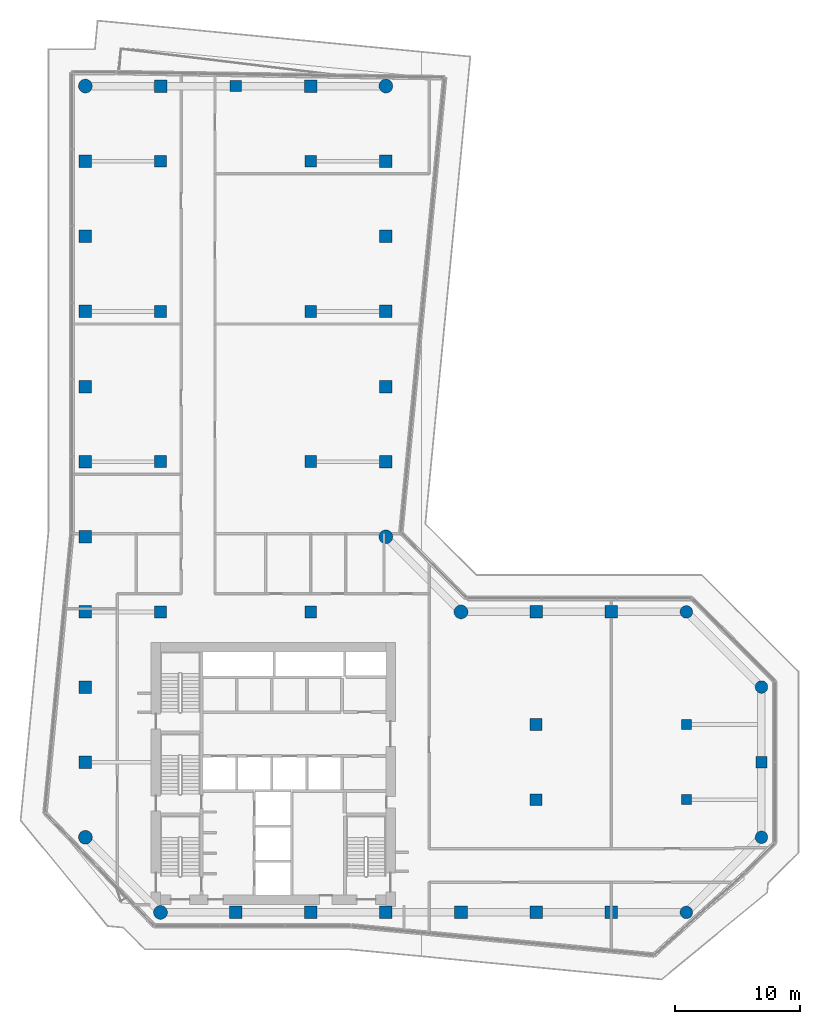
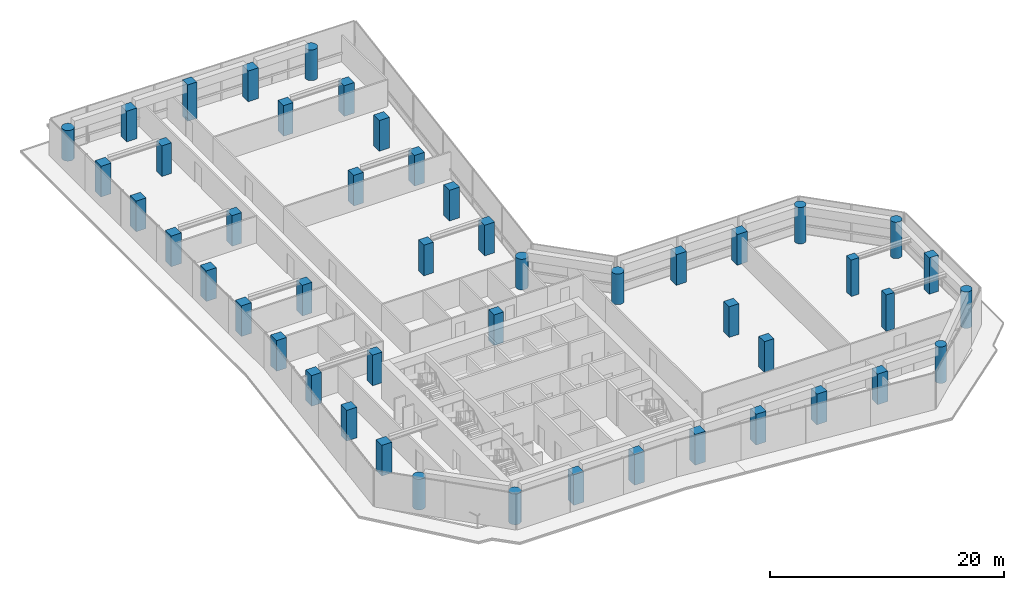
# One storey, part 1 of 12: 48 columns.
"""IFC4 building model written with IfcOpenShell, lengths in metres."""

from ifc_helpers import new_model, si_unit, direction, frame, origin, origin_2d, place, context, subcontext, project, spatial, rectangle, circle, extrude, material, material_profile, profile_set, type_object, element, save


model = new_model("IFC4")

# Units and contexts
model_context = context("Model", 3, precision=1e-05, world=origin(), true_north=direction((0.0, 1.0)))
body_context = subcontext(model_context, "Body", "Model", "MODEL_VIEW")
ifc_project = project(units=[si_unit("LENGTHUNIT", "METRE"), si_unit("AREAUNIT", "SQUARE_METRE"), si_unit("VOLUMEUNIT", "CUBIC_METRE"), si_unit("PLANEANGLEUNIT", "RADIAN"), si_unit("MASSUNIT", "GRAM", prefix="KILO")], contexts=[model_context])

# Site, building, storey
site_placement = place(None, origin())
site = spatial("IfcSite", under=ifc_project, at=site_placement, CompositionType="ELEMENT")
building_placement = place(site_placement, origin())
building = spatial("IfcBuilding", under=site, at=building_placement, Name="Welwitschia Terrace Campus", CompositionType="ELEMENT")
storey_placement = place(building_placement, frame((0.0, 0.0, 134.0)))
storey = spatial("IfcBuildingStorey", under=building, at=storey_placement, Name="L30", CompositionType="ELEMENT", Elevation=134.0)

# Columns
ifc_material_1 = material(Name="Concrete C60/75", Category="concrete")
ifc_material_profile_1 = material_profile(ifc_material_1, circle(Radius=0.5, at=origin_2d()))
ifc_profile_set_1 = profile_set([ifc_material_profile_1], Name="Concrete C60/75")
column_type_1 = type_object("IfcColumnType", Name="Corner column 1000 dia", PredefinedType="COLUMN", material=ifc_profile_set_1)
for number, where, z_axis, x_axis, name in (
    (1, (48.0, 4.0, 0.0), (0.0, 0.0, 1.0), (1.0, 0.0, 0.0), "Column C15"),
    (2, (48.0, 28.0, 0.0), (0.0, 0.0, 1.0), (1.0, 0.0, 0.0), "Column C15"),
    (3, (54.0, 10.0, 0.0), (0.0, 0.0, 1.0), (1.0, 0.0, 0.0), "Column C15"),
    (4, (54.0, 22.0, 0.0), (0.0, 0.0, 1.0), (1.0, 0.0, 0.0), "Column C15"),
):
    element("IfcColumn", number, at=place(storey_placement, frame(where, z_axis=z_axis, x_axis=x_axis)), inside=storey, type_object=column_type_1, Name=name, PredefinedType="COLUMN", context=body_context, shape_type="SweptSolid", body=[
        extrude(circle(Radius=0.5, at=origin_2d()), origin(), (0.0, 0.0, 1.0), 3.800048828125),
    ])
ifc_material_2 = material(Name="Concrete C60/75", Category="concrete")
ifc_material_profile_2 = material_profile(ifc_material_2, circle(Radius=0.550048828125, at=origin_2d()))
ifc_profile_set_2 = profile_set([ifc_material_profile_2], Name="Concrete C60/75")
column_type_2 = type_object("IfcColumnType", Name="Corner column 1100 dia under truss", PredefinedType="COLUMN", material=ifc_profile_set_2)
for number, where, z_axis, x_axis, name in (
    (5, (0.0, 10.0, 0.0), (0.0, 0.0, 1.0), (1.0, 0.0, 0.0), "Column C17"),
    (6, (0.0, 70.0, 0.0), (0.0, 0.0, 1.0), (1.0, 0.0, 0.0), "Column C17"),
    (7, (6.0, 4.0, 0.0), (0.0, 0.0, 1.0), (1.0, 0.0, 0.0), "Column C17"),
    (8, (24.0, 34.0, 0.0), (0.0, 0.0, 1.0), (1.0, 0.0, 0.0), "Column C17"),
    (9, (24.0, 70.0, 0.0), (0.0, 0.0, 1.0), (1.0, 0.0, 0.0), "Column C17"),
    (10, (30.0, 28.0, 0.0), (0.0, 0.0, 1.0), (1.0, 0.0, 0.0), "Column C17"),
):
    element("IfcColumn", number, at=place(storey_placement, frame(where, z_axis=z_axis, x_axis=x_axis)), inside=storey, type_object=column_type_2, Name=name, PredefinedType="COLUMN", context=body_context, shape_type="SweptSolid", body=[
        extrude(circle(Radius=0.550048828125, at=origin_2d()), origin(), (0.0, 0.0, 1.0), 3.199951171875),
    ])
ifc_material_3 = material(Name="Concrete C60/75", Category="concrete")
ifc_material_profile_3 = material_profile(ifc_material_3, rectangle(XDim=0.800048828125, YDim=0.800048828125, at=origin_2d()))
ifc_profile_set_3 = profile_set([ifc_material_profile_3], Name="Concrete C60/75")
column_type_3 = type_object("IfcColumnType", Name="Interior column 800x800", PredefinedType="COLUMN", material=ifc_profile_set_3)
for number, where, z_axis, x_axis, name in (
    (11, (48.0, 13.0, 0.0), (0.0, 0.0, 1.0), (1.0, 0.0, 0.0), "Column C16"),
    (12, (48.0, 19.0, 0.0), (0.0, 0.0, 1.0), (1.0, 0.0, 0.0), "Column C16"),
):
    element("IfcColumn", number, at=place(storey_placement, frame(where, z_axis=z_axis, x_axis=x_axis)), inside=storey, type_object=column_type_3, Name=name, PredefinedType="COLUMN", context=body_context, shape_type="SweptSolid", body=[
        extrude(rectangle(XDim=0.800048828125, YDim=0.800048828125, at=origin_2d()), origin(), (0.0, 0.0, 1.0), 3.800048828125),
    ])
ifc_material_4 = material(Name="Concrete C60/75", Category="concrete")
ifc_material_profile_4 = material_profile(ifc_material_4, rectangle(XDim=0.949951171875, YDim=0.949951171875, at=origin_2d()))
ifc_profile_set_4 = profile_set([ifc_material_profile_4], Name="Concrete C60/75")
column_type_4 = type_object("IfcColumnType", Name="Interior column 950x950 under truss", PredefinedType="COLUMN", material=ifc_profile_set_4)
for number, where, z_axis, x_axis, name in (
    (13, (6.0, 28.0, 0.0), (0.0, 0.0, 1.0), (1.0, 0.0, 0.0), "Column C19"),
    (14, (6.0, 40.0, 0.0), (0.0, 0.0, 1.0), (1.0, 0.0, 0.0), "Column C19"),
    (15, (6.0, 52.0, 0.0), (0.0, 0.0, 1.0), (1.0, 0.0, 0.0), "Column C19"),
    (16, (6.0, 64.0, 0.0), (0.0, 0.0, 1.0), (1.0, 0.0, 0.0), "Column C19"),
    (17, (18.0, 28.0, 0.0), (0.0, 0.0, 1.0), (1.0, 0.0, 0.0), "Column C19"),
    (18, (18.0, 40.0, 0.0), (0.0, 0.0, 1.0), (1.0, 0.0, 0.0), "Column C19"),
    (19, (18.0, 52.0, 0.0), (0.0, 0.0, 1.0), (1.0, 0.0, 0.0), "Column C19"),
    (20, (18.0, 64.0, 0.0), (0.0, 0.0, 1.0), (1.0, 0.0, 0.0), "Column C19"),
    (21, (36.0, 13.0, 0.0), (0.0, 0.0, 1.0), (1.0, 0.0, 0.0), "Column C19"),
    (22, (36.0, 19.0, 0.0), (0.0, 0.0, 1.0), (1.0, 0.0, 0.0), "Column C19"),
):
    element("IfcColumn", number, at=place(storey_placement, frame(where, z_axis=z_axis, x_axis=x_axis)), inside=storey, type_object=column_type_4, Name=name, PredefinedType="COLUMN", context=body_context, shape_type="SweptSolid", body=[
        extrude(rectangle(XDim=0.949951171875, YDim=0.949951171875, at=origin_2d()), origin(), (0.0, 0.0, 1.0), 3.199951171875),
    ])
ifc_material_5 = material(Name="Concrete C60/75", Category="concrete")
ifc_material_profile_5 = material_profile(ifc_material_5, rectangle(XDim=1.0, YDim=1.0, at=origin_2d()))
ifc_profile_set_5 = profile_set([ifc_material_profile_5], Name="Concrete C60/75")
column_type_5 = type_object("IfcColumnType", Name="Ring column 1000x1000 under truss", PredefinedType="COLUMN", material=ifc_profile_set_5)
for number, where, z_axis, x_axis, name in (
    (23, (0.0, 16.0, 0.0), (0.0, 0.0, 1.0), (1.0, 0.0, 0.0), "Column C18"),
    (24, (0.0, 22.0, 0.0), (0.0, 0.0, 1.0), (1.0, 0.0, 0.0), "Column C18"),
    (25, (0.0, 28.0, 0.0), (0.0, 0.0, 1.0), (1.0, 0.0, 0.0), "Column C18"),
    (26, (0.0, 34.0, 0.0), (0.0, 0.0, 1.0), (1.0, 0.0, 0.0), "Column C18"),
    (27, (0.0, 40.0, 0.0), (0.0, 0.0, 1.0), (1.0, 0.0, 0.0), "Column C18"),
    (28, (0.0, 46.0, 0.0), (0.0, 0.0, 1.0), (1.0, 0.0, 0.0), "Column C18"),
    (29, (0.0, 52.0, 0.0), (0.0, 0.0, 1.0), (1.0, 0.0, 0.0), "Column C18"),
    (30, (0.0, 58.0, 0.0), (0.0, 0.0, 1.0), (1.0, 0.0, 0.0), "Column C18"),
    (31, (0.0, 64.0, 0.0), (0.0, 0.0, 1.0), (1.0, 0.0, 0.0), "Column C18"),
    (32, (6.0, 70.0, 0.0), (0.0, 0.0, 1.0), (1.0, 0.0, 0.0), "Column C18"),
    (33, (12.0, 4.0, 0.0), (0.0, 0.0, 1.0), (1.0, 0.0, 0.0), "Column C18"),
    (34, (18.0, 4.0, 0.0), (0.0, 0.0, 1.0), (1.0, 0.0, 0.0), "Column C18"),
    (35, (18.0, 70.0, 0.0), (0.0, 0.0, 1.0), (1.0, 0.0, 0.0), "Column C18"),
    (36, (24.0, 4.0, 0.0), (0.0, 0.0, 1.0), (1.0, 0.0, 0.0), "Column C18"),
    (37, (24.0, 40.0, 0.0), (0.0, 0.0, 1.0), (1.0, 0.0, 0.0), "Column C18"),
    (38, (24.0, 46.0, 0.0), (0.0, 0.0, 1.0), (1.0, 0.0, 0.0), "Column C18"),
    (39, (24.0, 52.0, 0.0), (0.0, 0.0, 1.0), (1.0, 0.0, 0.0), "Column C18"),
    (40, (24.0, 58.0, 0.0), (0.0, 0.0, 1.0), (1.0, 0.0, 0.0), "Column C18"),
    (41, (24.0, 64.0, 0.0), (0.0, 0.0, 1.0), (1.0, 0.0, 0.0), "Column C18"),
    (42, (30.0, 4.0, 0.0), (0.0, 0.0, 1.0), (1.0, 0.0, 0.0), "Column C18"),
    (43, (36.0, 4.0, 0.0), (0.0, 0.0, 1.0), (1.0, 0.0, 0.0), "Column C18"),
    (44, (36.0, 28.0, 0.0), (0.0, 0.0, 1.0), (1.0, 0.0, 0.0), "Column C18"),
    (45, (42.0, 4.0, 0.0), (0.0, 0.0, 1.0), (1.0, 0.0, 0.0), "Column C18"),
    (46, (42.0, 28.0, 0.0), (0.0, 0.0, 1.0), (1.0, 0.0, 0.0), "Column C18"),
):
    element("IfcColumn", number, at=place(storey_placement, frame(where, z_axis=z_axis, x_axis=x_axis)), inside=storey, type_object=column_type_5, Name=name, PredefinedType="COLUMN", context=body_context, shape_type="SweptSolid", body=[
        extrude(rectangle(XDim=1.0, YDim=1.0, at=origin_2d()), origin(), (0.0, 0.0, 1.0), 3.199951171875),
    ])
ifc_material_6 = material(Name="Concrete C60/75", Category="concrete")
ifc_material_profile_6 = material_profile(ifc_material_6, rectangle(XDim=0.89990234375, YDim=0.89990234375, at=origin_2d()))
ifc_profile_set_6 = profile_set([ifc_material_profile_6], Name="Concrete C60/75")
column_type_6 = type_object("IfcColumnType", Name="Ring column 900x900", PredefinedType="COLUMN", material=ifc_profile_set_6)
for number, where, z_axis, x_axis, name in (
    (47, (12.0, 70.0, 0.0), (0.0, 0.0, 1.0), (1.0, 0.0, 0.0), "Column C14"),
    (48, (54.0, 16.0, 0.0), (0.0, 0.0, 1.0), (1.0, 0.0, 0.0), "Column C14"),
):
    element("IfcColumn", number, at=place(storey_placement, frame(where, z_axis=z_axis, x_axis=x_axis)), inside=storey, type_object=column_type_6, Name=name, PredefinedType="COLUMN", context=body_context, shape_type="SweptSolid", body=[
        extrude(rectangle(XDim=0.89990234375, YDim=0.89990234375, at=origin_2d()), origin(), (0.0, 0.0, 1.0), 3.800048828125),
    ])

save(model, "model.ifc")
